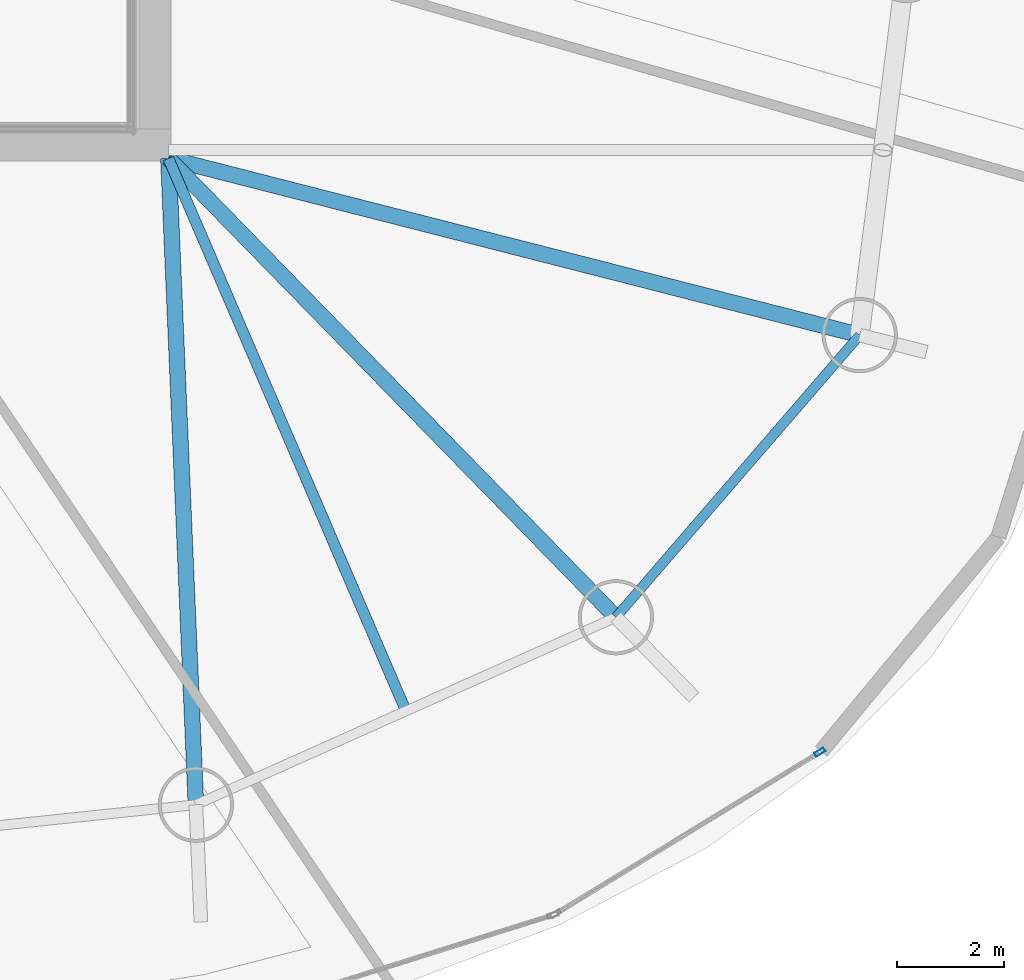
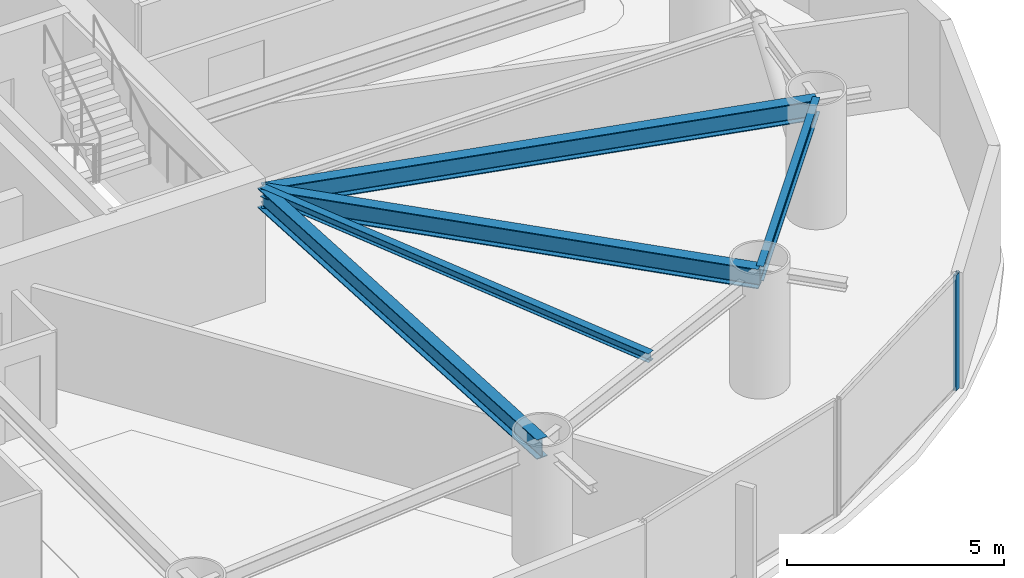
# One storey, part 5 of 20: 5 beams, 1 member, 1 element without a shape of its own.
"""IFC4 building model written with IfcOpenShell, lengths in metres."""

from ifc_helpers import new_model, si_unit, direction, frame, origin, origin_2d, place, context, subcontext, project, spatial, hollow_rectangle, i_section, extrude, material, layer, layer_set, material_profile, profile_set, type_object, element, aggregate, save


model = new_model("IFC4")

# Units and contexts
model_context = context("Model", 3, precision=1e-05, world=origin(), true_north=direction((0.0, 1.0)))
body_context = subcontext(model_context, "Body", "Model", "MODEL_VIEW")
ifc_project = project(units=[si_unit("LENGTHUNIT", "METRE"), si_unit("AREAUNIT", "SQUARE_METRE"), si_unit("VOLUMEUNIT", "CUBIC_METRE"), si_unit("PLANEANGLEUNIT", "RADIAN"), si_unit("MASSUNIT", "GRAM", prefix="KILO")], contexts=[model_context])

# Site, building, storey
site_placement = place(None, origin())
site = spatial("IfcSite", under=ifc_project, at=site_placement, CompositionType="ELEMENT")
building_placement = place(site_placement, origin())
building = spatial("IfcBuilding", under=site, at=building_placement, Name="Bramvorn Convention Spire", CompositionType="ELEMENT")
storey_placement = place(building_placement, frame((0.0, 0.0, 144.800048828125)))
storey = spatial("IfcBuildingStorey", under=building, at=storey_placement, Name="L36", CompositionType="ELEMENT", Elevation=144.800048828125)

# Beams
ifc_material_1 = material(Name="Steel CSA G40.21 Grade 350 (350W)", Category="steel")
ifc_material_profile_1 = material_profile(ifc_material_1, i_section(OverallWidth=0.201904296875, OverallDepth=0.2470703125, WebThickness=0.00732421875, FlangeThickness=0.010986328125, FilletRadius=0.011962890625, at=origin_2d()))
ifc_profile_set_1 = profile_set([ifc_material_profile_1], Name="Steel CSA G40.21 Grade 350 (350W) - W250X49")
beam_type_1 = type_object("IfcBeamType", Name="BM-W250X49", PredefinedType="JOIST", material=ifc_profile_set_1)
beam_1_placement = place(storey_placement, frame((49.25, 18.550048828125, 3.136474609375), z_axis=(0.394937739893, -0.918707886985, 0.0), x_axis=(0.918707886985, 0.394937739893, 0.0)))
element("IfcBeam", 1, at=beam_1_placement, inside=storey, type_object=beam_type_1, Name="L36 composite floor joist 15", PredefinedType="JOIST", context=body_context, shape_type="SweptSolid", body=[
    extrude(i_section(OverallWidth=0.201904296875, OverallDepth=0.2470703125, WebThickness=0.00732421875, FlangeThickness=0.010986328125, FilletRadius=0.011962890625, at=origin_2d()), origin(), (0.0, 0.0, 1.0), 11.19384765625),
])
ifc_material_profile_2 = material_profile(ifc_material_1, i_section(OverallWidth=0.180908203125, OverallDepth=0.4169921875, WebThickness=0.010986328125, FlangeThickness=0.018310546875, FilletRadius=0.01611328125, at=origin_2d()))
ifc_profile_set_2 = profile_set([ifc_material_profile_2], Name="Steel CSA G40.21 Grade 350 (350W) - W410X85")
beam_type_2 = type_object("IfcBeamType", Name="BM-W410X85", PredefinedType="JOIST", material=ifc_profile_set_2)
beam_2_placement = place(storey_placement, frame((57.579833984375, 10.0107421875, 3.051513671875), z_axis=(0.653824993824, 0.756645807132, 0.0), x_axis=(-0.756645807132, 0.653824993824, 0.0)))
element("IfcBeam", 2, at=beam_2_placement, inside=storey, type_object=beam_type_2, Name="L36 mega-column ring beam 16", PredefinedType="JOIST", context=body_context, shape_type="SweptSolid", body=[
    extrude(i_section(OverallWidth=0.180908203125, OverallDepth=0.4169921875, WebThickness=0.010986328125, FlangeThickness=0.018310546875, FilletRadius=0.01611328125, at=origin_2d()), origin(), (0.0, 0.0, 1.0), 6.9404296875),
])
ifc_material_profile_3 = material_profile(ifc_material_1, i_section(OverallWidth=0.2919921875, OverallDepth=0.551025390625, WebThickness=0.01513671875, FlangeThickness=0.0244140625, FilletRadius=0.01904296875, at=origin_2d()))
ifc_profile_set_3 = profile_set([ifc_material_profile_3], Name="Steel CSA G40.21 Grade 350 (350W) - W530X182")
beam_type_3 = type_object("IfcBeamType", Name="BM-W530X182", PredefinedType="BEAM", material=ifc_profile_set_3)
beam_3_placement = place(storey_placement, frame((49.25, 18.550048828125, 2.984375), z_axis=(0.968872976577, -0.247558387576, 0.0), x_axis=(0.247558387576, 0.968872976577, 0.0)))
element("IfcBeam", 3, at=beam_3_placement, inside=storey, type_object=beam_type_3, Name="L36 radial floor girder MC01", PredefinedType="BEAM", context=body_context, shape_type="SweptSolid", body=[
    extrude(i_section(OverallWidth=0.2919921875, OverallDepth=0.551025390625, WebThickness=0.01513671875, FlangeThickness=0.0244140625, FilletRadius=0.01904296875, at=origin_2d()), origin(), (0.0, 0.0, 1.0), 13.281005859375),
])
beam_4_placement = place(storey_placement, frame((49.25, 18.550048828125, 2.984375), z_axis=(0.042502657955, -0.999096353745, 0.0), x_axis=(0.999096353745, 0.042502657955, 0.0)))
element("IfcBeam", 4, at=beam_4_placement, inside=storey, type_object=beam_type_3, Name="L36 radial floor girder MC15", PredefinedType="BEAM", context=body_context, shape_type="SweptSolid", body=[
    extrude(i_section(OverallWidth=0.2919921875, OverallDepth=0.551025390625, WebThickness=0.01513671875, FlangeThickness=0.0244140625, FilletRadius=0.01904296875, at=origin_2d()), origin(), (0.0, 0.0, 1.0), 12.039794921875),
])
beam_5_placement = place(storey_placement, frame((49.25, 18.550048828125, 2.984375), z_axis=(0.698272445638, -0.715832097397, 0.0), x_axis=(0.715832097397, 0.698272445638, 0.0)))
element("IfcBeam", 5, at=beam_5_placement, inside=storey, type_object=beam_type_3, Name="L36 radial floor girder MC16", PredefinedType="BEAM", context=body_context, shape_type="SweptSolid", body=[
    extrude(i_section(OverallWidth=0.2919921875, OverallDepth=0.551025390625, WebThickness=0.01513671875, FlangeThickness=0.0244140625, FilletRadius=0.01904296875, at=origin_2d()), origin(), (0.0, 0.0, 1.0), 11.92919921875),
])

# Curtain wall, member
ifc_material_2 = material(Name="Anodised Bronze Unitised Curtain Wall", Category="aluminium")
ifc_layer = layer(ifc_material_2, 0.179931640625)
ifc_layer_set = layer_set([ifc_layer], Name="Anodised Bronze Unitised Curtain Wall - CW-HTL-FRIT")
curtain_wall_type = type_object("IfcCurtainWallType", Name="CW-HTL-FRIT", PredefinedType="USERDEFINED", material=ifc_layer_set)
curtain_wall_placement = place(storey_placement, origin())
curtain_wall = element("IfcCurtainWall", 6, at=curtain_wall_placement, inside=storey, type_object=curtain_wall_type, Name="L36 fritted glass curtain wall 23", ObjectType="UNITISED CURTAIN WALL", PredefinedType="USERDEFINED")
ifc_material_3 = material(Name="Anodised Bronze Aluminium 6063-T6", Category="aluminium")
ifc_material_profile_4 = material_profile(ifc_material_3, hollow_rectangle(XDim=0.080078125, YDim=0.199951171875, WallThickness=0.00390625, InnerFilletRadius=0.0009765625, OuterFilletRadius=0.00390625, at=origin_2d()))
ifc_profile_set_4 = profile_set([ifc_material_profile_4], Name="Anodised Bronze Aluminium 6063-T6 - CWM80X200")
member_type = type_object("IfcMemberType", Name="CW-MUL-180", PredefinedType="MULLION", material=ifc_profile_set_4)
member_placement = place(storey_placement, frame((61.376220703125, 7.500244140625, 0.0), z_axis=(0.0, 0.0, 1.0), x_axis=(0.521871619998, -0.853024039662, 0.0)))
member = element("IfcMember", 7, at=member_placement, type_object=member_type, Name="CW2 mullion 1", PredefinedType="MULLION", context=body_context, shape_type="SweptSolid", body=[
    extrude(hollow_rectangle(XDim=0.080078125, YDim=0.199951171875, WallThickness=0.00390625, InnerFilletRadius=0.0009765625, OuterFilletRadius=0.00390625, at=origin_2d()), origin(), (0.0, 0.0, 1.0), 3.260009765625),
])
aggregate(curtain_wall, [member])

save(model, "model.ifc")
